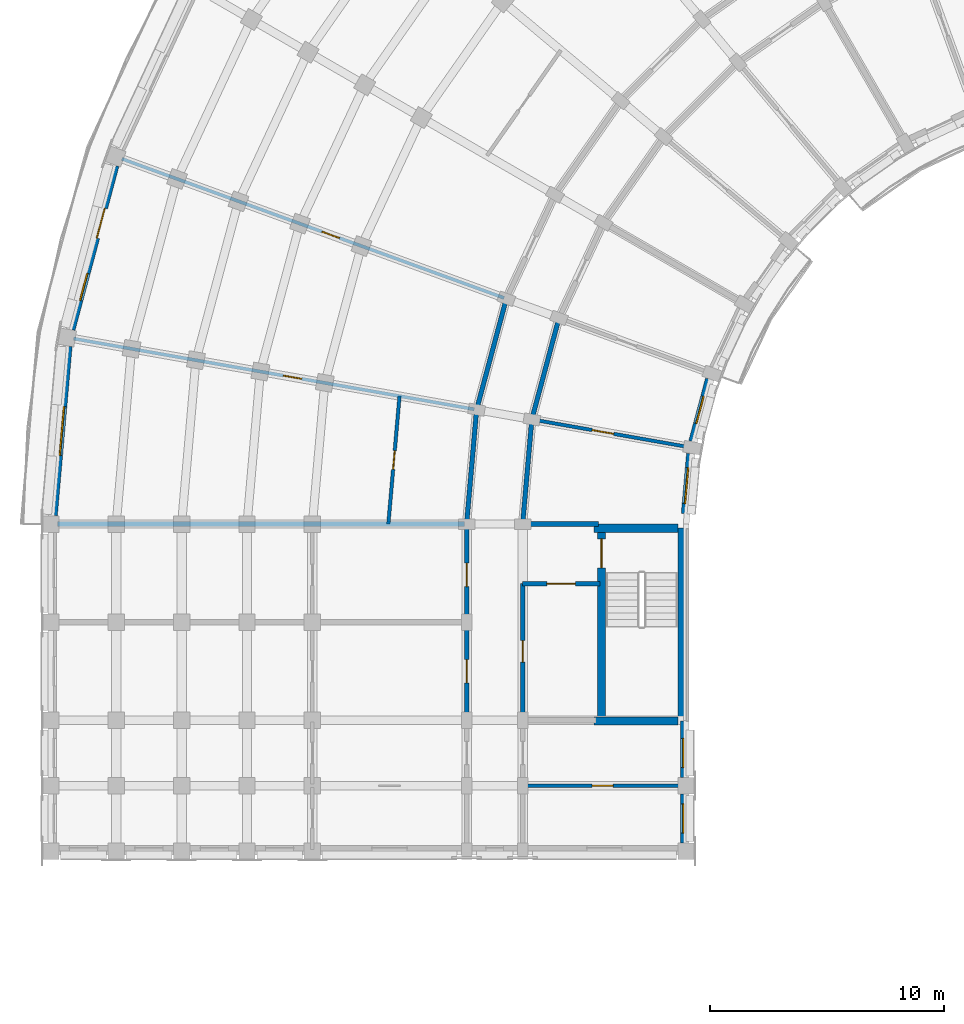
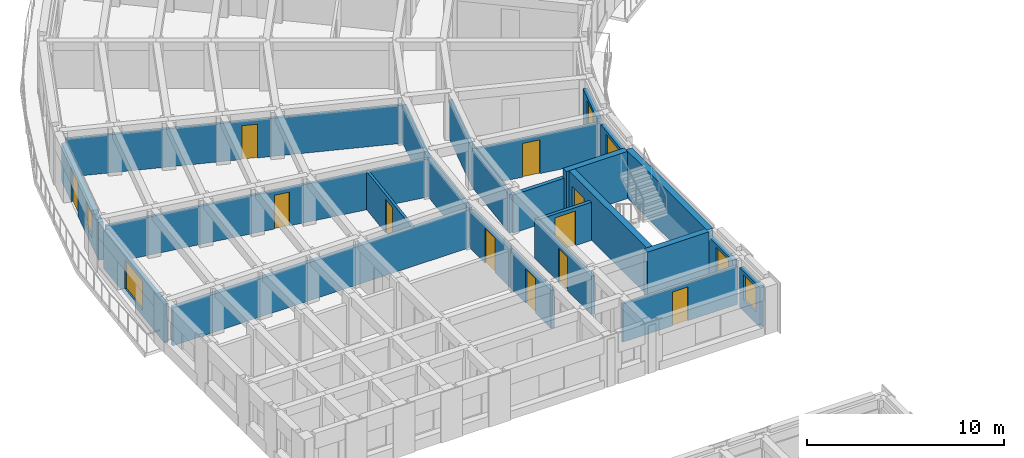
# One storey, part 25 of 57: 25 walls, 11 doors, 6 windows, 17 openings.
"""IFC4 building model written with IfcOpenShell, lengths in metres."""

from ifc_helpers import new_model, si_unit, direction, frame, frame_2d, origin, place, context, subcontext, project, spatial, rectangle, extrude, material, layer, layer_set, type_object, element, fill, save


model = new_model("IFC4")

# Units and contexts
model_context = context("Model", 3, precision=1e-05, world=origin(), true_north=direction((0.0, 1.0)))
body_context = subcontext(model_context, "Body", "Model", "MODEL_VIEW")
ifc_project = project(units=[si_unit("LENGTHUNIT", "METRE"), si_unit("AREAUNIT", "SQUARE_METRE"), si_unit("VOLUMEUNIT", "CUBIC_METRE"), si_unit("PLANEANGLEUNIT", "RADIAN"), si_unit("MASSUNIT", "GRAM", prefix="KILO")], contexts=[model_context])

# Site, building, storey
site_placement = place(None, origin())
site = spatial("IfcSite", under=ifc_project, at=site_placement, CompositionType="ELEMENT")
building_placement = place(site_placement, origin())
building = spatial("IfcBuilding", under=site, at=building_placement, Name="Kiranvali Square Residences", CompositionType="ELEMENT")
storey_placement = place(building_placement, frame((0.0, 0.0, 24.449951171875)))
storey = spatial("IfcBuildingStorey", under=building, at=storey_placement, Name="L07", CompositionType="ELEMENT", Elevation=24.449951171875)

# Wall, opening, door
ifc_material_1 = material(Name="Autoclaved aerated concrete blockwork masonry", Category="masonry")
ifc_layer_1 = layer(ifc_material_1, 0.199951171875)
ifc_layer_set_1 = layer_set([ifc_layer_1], Name="Autoclaved aerated concrete blockwork masonry")
wall_type_1 = type_object("IfcWallType", Name="WL-COR-200", PredefinedType="STANDARD", material=ifc_layer_set_1)
wall_1_placement = place(storey_placement, frame((25.699951171875, 85.25, 0.0), z_axis=(0.0, 0.0, 1.0), x_axis=(-1.0, 0.0, 0.0)))
wall_1 = element("IfcWall", 1, at=wall_1_placement, inside=storey, type_object=wall_type_1, Name="L07 architectural wall WL-L07-A-S3-V", PredefinedType="STANDARD", context=body_context, shape_type="SweptSolid", body=[
    extrude(rectangle(XDim=3.300048828125, YDim=0.199951171875, at=frame_2d((1.64990234375, 0.0))), origin(), (0.0, 0.0, 1.0), 2.3720703125),
])
opening_1_placement = place(wall_1_placement, frame((1.0400390625, 0.0, 0.0)))
opening_1 = element("IfcOpeningElement", 2, at=opening_1_placement, cuts=wall_1, Name="Opening FD-COR-60", PredefinedType="OPENING", context=body_context, shape_type="SweptSolid", body=[
    extrude(rectangle(XDim=1.219970703125, YDim=2.14990234375, at=frame_2d((0.60986328125, 1.074951171875))), frame((0.0, 0.10986328125, 0.0), z_axis=(0.0, -1.0, 0.0), x_axis=(1.0, 0.0, 0.0)), (0.0, 0.0, 1.0), 0.219970703125),
])
ifc_material_2 = material(Name="Fire-rated acoustic hardwood and mineral-core door assembly", Category="wood")
door_type_1 = type_object("IfcDoorType", Name="DR-FD60-1200", OperationType="NOTDEFINED", PredefinedType="DOOR", material=ifc_material_2)
door_1_placement = place(opening_1_placement, frame((1.219970703125, 0.0, 0.0), z_axis=(0.0, 0.0, 1.0), x_axis=(-1.0, 0.0, 0.0)))
door_1 = element("IfcDoor", 3, at=door_1_placement, inside=storey, type_object=door_type_1, Name="L07 door DR-L07-0460 (DR-FD60-1200)", OperationType="SINGLE_SWING_RIGHT", OverallHeight=2.14990234375, OverallWidth=1.219970703125, PredefinedType="DOOR", context=body_context, shape_type="SweptSolid", body=[
    extrude(rectangle(XDim=1.219970703125, YDim=2.14990234375, at=frame_2d((0.60986328125, 1.074951171875))), frame((0.0, 0.02490234375, 0.0), z_axis=(0.0, -1.0, 0.0), x_axis=(1.0, 0.0, 0.0)), (0.0, 0.0, 1.0), 0.050048828125),
])
fill(opening_1, door_1)

wall_2_placement = place(storey_placement, frame((22.39990234375, 85.25, 0.0), z_axis=(0.0, 0.0, 1.0), x_axis=(0.0, -1.0, 0.0)))
wall_2 = element("IfcWall", 4, at=wall_2_placement, inside=storey, type_object=wall_type_1, Name="L07 architectural wall WL-L07-A-S3-COR", PredefinedType="STANDARD", context=body_context, shape_type="SweptSolid", body=[
    extrude(rectangle(XDim=5.800048828125, YDim=0.199951171875, at=frame_2d((2.89990234375, 0.0))), origin(), (0.0, 0.0, 1.0), 2.3720703125),
])
opening_2_placement = place(wall_2_placement, frame((2.43994140625, 0.0, 0.0)))
opening_2 = element("IfcOpeningElement", 5, at=opening_2_placement, cuts=wall_2, Name="Opening FD-SVC-120", PredefinedType="OPENING", context=body_context, shape_type="SweptSolid", body=[
    extrude(rectangle(XDim=0.919921875, YDim=2.10009765625, at=frame_2d((0.4599609375, 1.050048828125))), frame((0.0, 0.10986328125, 0.0), z_axis=(0.0, -1.0, 0.0), x_axis=(1.0, 0.0, 0.0)), (0.0, 0.0, 1.0), 0.219970703125),
])
door_type_2 = type_object("IfcDoorType", Name="DR-SVC-900", OperationType="NOTDEFINED", PredefinedType="DOOR", material=ifc_material_2)
door_2_placement = place(opening_2_placement, origin())
door_2 = element("IfcDoor", 6, at=door_2_placement, inside=storey, type_object=door_type_2, Name="L07 door DR-L07-0461 (DR-SVC-900)", OperationType="SINGLE_SWING_LEFT", OverallHeight=2.10009765625, OverallWidth=0.919921875, PredefinedType="DOOR", context=body_context, shape_type="SweptSolid", body=[
    extrude(rectangle(XDim=0.919921875, YDim=2.10009765625, at=frame_2d((0.4599609375, 1.050048828125))), frame((0.0, 0.02490234375, 0.0), z_axis=(0.0, -1.0, 0.0), x_axis=(1.0, 0.0, 0.0)), (0.0, 0.0, 1.0), 0.050048828125),
])
fill(opening_2, door_2)

# Walls
wall_3_placement = place(storey_placement, frame((23.955810546875, 96.6240234375, 0.0), z_axis=(0.0, 0.0, 1.0), x_axis=(-0.258787642463, -0.965934240054, 0.0)))
element("IfcWall", 7, at=wall_3_placement, inside=storey, type_object=wall_type_1, Name="L07 architectural wall WL-L07-A-CCI-7", PredefinedType="STANDARD", context=body_context, shape_type="SweptSolid", body=[
    extrude(rectangle(XDim=4.497314453125, YDim=0.199951171875, at=frame_2d((2.24853515625, 0.0))), origin(), (0.0, 0.0, 1.0), 2.3720703125),
])
wall_4_placement = place(storey_placement, frame((21.70068359375, 97.445068359375, 0.0), z_axis=(0.0, 0.0, 1.0), x_axis=(-0.258803112091, -0.965930095386, 0.0)))
element("IfcWall", 8, at=wall_4_placement, inside=storey, type_object=wall_type_1, Name="L07 architectural wall WL-L07-A-CCO-7", PredefinedType="STANDARD", context=body_context, shape_type="SweptSolid", body=[
    extrude(rectangle(XDim=4.915771484375, YDim=0.199951171875, at=frame_2d((2.4580078125, 0.0))), origin(), (0.0, 0.0, 1.0), 2.3720703125),
])
wall_5_placement = place(storey_placement, frame((22.7919921875, 92.280029296875, 0.0), z_axis=(0.0, 0.0, 1.0), x_axis=(-0.087187153726, -0.996191949488, 0.0)))
element("IfcWall", 9, at=wall_5_placement, inside=storey, type_object=wall_type_1, Name="L07 architectural wall WL-L07-A-CCI-8", PredefinedType="STANDARD", context=body_context, shape_type="SweptSolid", body=[
    extrude(rectangle(XDim=4.4970703125, YDim=0.199951171875, at=frame_2d((2.24853515625, 0.0))), origin(), (0.0, 0.0, 1.0), 2.3720703125),
])
wall_6_placement = place(storey_placement, frame((20.428466796875, 92.69677734375, 0.0), z_axis=(0.0, 0.0, 1.0), x_axis=(-0.087167566415, -0.996193663584, 0.0)))
element("IfcWall", 10, at=wall_6_placement, inside=storey, type_object=wall_type_1, Name="L07 architectural wall WL-L07-A-CCO-8", PredefinedType="STANDARD", context=body_context, shape_type="SweptSolid", body=[
    extrude(rectangle(XDim=4.91552734375, YDim=0.199951171875, at=frame_2d((2.457763671875, 0.0))), origin(), (0.0, 0.0, 1.0), 2.3720703125),
])

# Wall, opening, door
wall_7_placement = place(storey_placement, frame((20.0, 87.64990234375, 0.0), z_axis=(0.0, 0.0, 1.0), x_axis=(0.0, -1.0, 0.0)))
wall_7 = element("IfcWall", 11, at=wall_7_placement, inside=storey, type_object=wall_type_1, Name="L07 architectural wall WL-L07-A-A2CF-C0", PredefinedType="STANDARD", context=body_context, shape_type="SweptSolid", body=[
    extrude(rectangle(XDim=4.0498046875, YDim=0.199951171875, at=frame_2d((2.02490234375, 0.0))), origin(), (0.0, 0.0, 1.0), 2.3720703125),
])
opening_3_placement = place(wall_7_placement, frame((1.52490234375, 0.0, 0.0)))
opening_3 = element("IfcOpeningElement", 12, at=opening_3_placement, cuts=wall_7, Name="Opening FD-APT-60", PredefinedType="OPENING", context=body_context, shape_type="SweptSolid", body=[
    extrude(rectangle(XDim=1.0, YDim=2.14990234375, at=frame_2d((0.5, 1.074951171875))), frame((0.0, 0.10986328125, 0.0), z_axis=(0.0, -1.0, 0.0), x_axis=(1.0, 0.0, 0.0)), (0.0, 0.0, 1.0), 0.219970703125),
])
door_type_3 = type_object("IfcDoorType", Name="DR-APT-1000", OperationType="NOTDEFINED", PredefinedType="DOOR", material=ifc_material_2)
door_3_placement = place(opening_3_placement, origin())
door_3 = element("IfcDoor", 13, at=door_3_placement, inside=storey, type_object=door_type_3, Name="L07 door DR-L07-0501 (DR-APT-1000)", OperationType="SINGLE_SWING_LEFT", OverallHeight=2.14990234375, OverallWidth=1.0, PredefinedType="DOOR", context=body_context, shape_type="SweptSolid", body=[
    extrude(rectangle(XDim=1.0, YDim=2.14990234375, at=frame_2d((0.5, 1.074951171875))), frame((0.0, 0.02490234375, 0.0), z_axis=(0.0, -1.0, 0.0), x_axis=(1.0, 0.0, 0.0)), (0.0, 0.0, 1.0), 0.050048828125),
])
fill(opening_3, door_3)

wall_8_placement = place(storey_placement, frame((20.0, 83.60009765625, 0.0), z_axis=(0.0, 0.0, 1.0), x_axis=(0.0, -1.0, 0.0)))
wall_8 = element("IfcWall", 14, at=wall_8_placement, inside=storey, type_object=wall_type_1, Name="L07 architectural wall WL-L07-A-A2CF-C1", PredefinedType="STANDARD", context=body_context, shape_type="SweptSolid", body=[
    extrude(rectangle(XDim=4.2001953125, YDim=0.199951171875, at=frame_2d((2.10009765625, 0.0))), origin(), (0.0, 0.0, 1.0), 2.3720703125),
])
opening_4_placement = place(wall_8_placement, frame((1.60009765625, 0.0, 0.0)))
opening_4 = element("IfcOpeningElement", 15, at=opening_4_placement, cuts=wall_8, Name="Opening FD-APT-60", PredefinedType="OPENING", context=body_context, shape_type="SweptSolid", body=[
    extrude(rectangle(XDim=1.0, YDim=2.14990234375, at=frame_2d((0.5, 1.074951171875))), frame((0.0, 0.10986328125, 0.0), z_axis=(0.0, -1.0, 0.0), x_axis=(1.0, 0.0, 0.0)), (0.0, 0.0, 1.0), 0.219970703125),
])
door_4_placement = place(opening_4_placement, origin())
door_4 = element("IfcDoor", 16, at=door_4_placement, inside=storey, type_object=door_type_3, Name="L07 door DR-L07-0503 (DR-APT-1000)", OperationType="SINGLE_SWING_LEFT", OverallHeight=2.14990234375, OverallWidth=1.0, PredefinedType="DOOR", context=body_context, shape_type="SweptSolid", body=[
    extrude(rectangle(XDim=1.0, YDim=2.14990234375, at=frame_2d((0.5, 1.074951171875))), frame((0.0, 0.02490234375, 0.0), z_axis=(0.0, -1.0, 0.0), x_axis=(1.0, 0.0, 0.0)), (0.0, 0.0, 1.0), 0.050048828125),
])
fill(opening_4, door_4)

# Walls
ifc_layer_2 = layer(ifc_material_1, 0.219970703125)
ifc_layer_set_2 = layer_set([ifc_layer_2], Name="Autoclaved aerated concrete blockwork masonry")
wall_type_2 = type_object("IfcWallType", Name="WL-DEM-220", PredefinedType="STANDARD", material=ifc_layer_set_2)
wall_9_placement = place(storey_placement, frame((25.64990234375, 87.800048828125, 0.0), z_axis=(0.0, 0.0, 1.0), x_axis=(-1.0, 0.0, 0.0)))
element("IfcWall", 17, at=wall_9_placement, inside=storey, type_object=wall_type_2, Name="L07 architectural wall WL-L07-A-RADI-9", PredefinedType="STANDARD", context=body_context, shape_type="SweptSolid", body=[
    extrude(rectangle(XDim=3.199951171875, YDim=0.219970703125, at=frame_2d((1.60009765625, 0.0))), origin(), (0.0, 0.0, 1.0), 2.3720703125),
])
wall_10_placement = place(storey_placement, frame((19.89990234375, 87.800048828125, 0.0), z_axis=(0.0, 0.0, 1.0), x_axis=(-1.0, 0.0, 0.0)))
element("IfcWall", 18, at=wall_10_placement, inside=storey, type_object=wall_type_2, Name="L07 architectural wall WL-L07-A-RADO-9", PredefinedType="STANDARD", context=body_context, shape_type="SweptSolid", body=[
    extrude(rectangle(XDim=17.419921875, YDim=0.219970703125, at=frame_2d((8.7099609375, 0.0))), origin(), (0.0, 0.0, 1.0), 2.3720703125),
])

# Wall, openings, door, window
ifc_material_3 = material(Name="Breathable lime-rendered clay brick masonry", Category="masonry")
ifc_layer_3 = layer(ifc_material_3, 0.25)
ifc_layer_set_3 = layer_set([ifc_layer_3], Name="Breathable lime-rendered clay brick masonry")
wall_type_3 = type_object("IfcWallType", Name="WL-EXT-250", PredefinedType="STANDARD", material=ifc_layer_set_3)
wall_11_placement = place(storey_placement, frame((4.99755859375, 103.137451171875, 0.0), z_axis=(0.0, 0.0, 1.0), x_axis=(-0.258802140196, -0.965930355787, 0.0)))
wall_11 = element("IfcWall", 19, at=wall_11_placement, inside=storey, type_object=wall_type_3, Name="L07 exterior wall A-L07-CRV-07", PredefinedType="STANDARD", context=body_context, shape_type="SweptSolid", body=[
    extrude(rectangle(XDim=7.2666015625, YDim=0.25, at=frame_2d((3.63330078125, 0.0))), origin(), (0.0, 0.0, 1.0), 2.3720703125),
])
opening_5_placement = place(wall_11_placement, frame((4.765625, 0.0, 0.52197265625)))
opening_5 = element("IfcOpeningElement", 20, at=opening_5_placement, cuts=wall_11, Name="Opening W-06", PredefinedType="OPENING", context=body_context, shape_type="SweptSolid", body=[
    extrude(rectangle(XDim=1.199951171875, YDim=1.5, at=frame_2d((0.60009765625, 0.75))), frame((0.0, 0.135009765625, 0.0), z_axis=(0.0, -1.0, 0.0), x_axis=(1.0, 0.0, 0.0)), (0.0, 0.0, 1.0), 0.27001953125),
])
opening_6_placement = place(wall_11_placement, frame((1.88330078125, 0.0, 0.0)))
opening_6 = element("IfcOpeningElement", 21, at=opening_6_placement, cuts=wall_11, Name="Opening ED-BAL-3", PredefinedType="OPENING", context=body_context, shape_type="SweptSolid", body=[
    extrude(rectangle(XDim=1.320068359375, YDim=2.14990234375, at=frame_2d((0.66015625, 1.074951171875))), frame((0.0, 0.135009765625, 0.0), z_axis=(0.0, -1.0, 0.0), x_axis=(1.0, 0.0, 0.0)), (0.0, 0.0, 1.0), 0.27001953125),
])
ifc_material_4 = material(Name="Anodised bronze aluminium framing", Category="aluminium")
door_type_4 = type_object("IfcDoorType", Name="DR-BAL-1320", OperationType="NOTDEFINED", PredefinedType="DOOR", material=ifc_material_4)
door_5_placement = place(opening_6_placement, frame((1.320068359375, 0.0, 0.0), z_axis=(0.0, 0.0, 1.0), x_axis=(-1.0, 0.0, 0.0)))
door_5 = element("IfcDoor", 22, at=door_5_placement, inside=storey, type_object=door_type_4, Name="L07 balcony terrace door", OperationType="SINGLE_SWING_RIGHT", OverallHeight=2.14990234375, OverallWidth=1.320068359375, PredefinedType="DOOR", context=body_context, shape_type="SweptSolid", body=[
    extrude(rectangle(XDim=1.320068359375, YDim=2.14990234375, at=frame_2d((0.66015625, 1.074951171875))), frame((0.0, 0.02490234375, 0.0), z_axis=(0.0, -1.0, 0.0), x_axis=(1.0, 0.0, 0.0)), (0.0, 0.0, 1.0), 0.050048828125),
])
fill(opening_6, door_5)
ifc_material_5 = material(Name="Solar-control low-e double glazing", Category="glass")
window_type_1 = type_object("IfcWindowType", Name="WIN-RES-1200x1500", PartitioningType="SINGLE_PANEL", PredefinedType="WINDOW", material=ifc_material_5)
window_1_placement = place(opening_5_placement, origin())
window_1 = element("IfcWindow", 23, at=window_1_placement, inside=storey, type_object=window_type_1, Name="L07 recessed window A-L07-CRV-07", OverallHeight=1.5, OverallWidth=1.199951171875, PartitioningType="SINGLE_PANEL", PredefinedType="WINDOW", context=body_context, shape_type="SweptSolid", body=[
    extrude(rectangle(XDim=1.199951171875, YDim=1.5, at=frame_2d((0.60009765625, 0.75))), frame((0.0, 0.030029296875, 0.0), z_axis=(0.0, -1.0, 0.0), x_axis=(1.0, 0.0, 0.0)), (0.0, 0.0, 1.0), 0.06005859375),
])
fill(opening_5, window_1)

# Wall, opening, window
wall_12_placement = place(storey_placement, frame((2.99072265625, 95.402587890625, 0.0), z_axis=(0.0, 0.0, 1.0), x_axis=(-0.08718487158, -0.99619214922, 0.0)))
wall_12 = element("IfcWall", 24, at=wall_12_placement, inside=storey, type_object=wall_type_3, Name="L07 exterior wall A-L07-CRV-08", PredefinedType="STANDARD", context=body_context, shape_type="SweptSolid", body=[
    extrude(rectangle(XDim=7.2666015625, YDim=0.25, at=frame_2d((3.63330078125, 0.0))), origin(), (0.0, 0.0, 1.0), 2.3720703125),
])
opening_7_placement = place(wall_12_placement, frame((2.583251953125, 0.0, 0.3720703125)))
opening_7 = element("IfcOpeningElement", 25, at=opening_7_placement, cuts=wall_12, Name="Opening W-03", PredefinedType="OPENING", context=body_context, shape_type="SweptSolid", body=[
    extrude(rectangle(XDim=2.10009765625, YDim=1.800048828125, at=frame_2d((1.050048828125, 0.89990234375))), frame((0.0, 0.135009765625, 0.0), z_axis=(0.0, -1.0, 0.0), x_axis=(1.0, 0.0, 0.0)), (0.0, 0.0, 1.0), 0.27001953125),
])
window_type_2 = type_object("IfcWindowType", Name="WIN-RES-2100x1800", PartitioningType="TRIPLE_PANEL_VERTICAL", PredefinedType="WINDOW", material=ifc_material_5)
window_2_placement = place(opening_7_placement, origin())
window_2 = element("IfcWindow", 26, at=window_2_placement, inside=storey, type_object=window_type_2, Name="L07 recessed window A-L07-CRV-08", OverallHeight=1.800048828125, OverallWidth=2.10009765625, PartitioningType="TRIPLE_PANEL_VERTICAL", PredefinedType="WINDOW", context=body_context, shape_type="SweptSolid", body=[
    extrude(rectangle(XDim=2.10009765625, YDim=1.800048828125, at=frame_2d((1.050048828125, 0.89990234375))), frame((0.0, 0.030029296875, 0.0), z_axis=(0.0, -1.0, 0.0), x_axis=(1.0, 0.0, 0.0)), (0.0, 0.0, 1.0), 0.06005859375),
])
fill(opening_7, window_2)

wall_13_placement = place(storey_placement, frame((30.347412109375, 94.017333984375, 0.0), z_axis=(0.0, 0.0, 1.0), x_axis=(-0.25878161084, -0.965935855992, 0.0)))
wall_13 = element("IfcWall", 27, at=wall_13_placement, inside=storey, type_object=wall_type_3, Name="L07 exterior wall A-L07-GDN-07", PredefinedType="STANDARD", context=body_context, shape_type="SweptSolid", body=[
    extrude(rectangle(XDim=2.769775390625, YDim=0.25, at=frame_2d((1.384765625, 0.0))), origin(), (0.0, 0.0, 1.0), 2.422119140625),
])
opening_8_placement = place(wall_13_placement, frame((0.784912109375, 0.0, 0.721923828125)))
opening_8 = element("IfcOpeningElement", 28, at=opening_8_placement, cuts=wall_13, Name="Opening W-06", PredefinedType="OPENING", context=body_context, shape_type="SweptSolid", body=[
    extrude(rectangle(XDim=1.199951171875, YDim=1.5, at=frame_2d((0.60009765625, 0.75))), frame((0.0, 0.135009765625, 0.0), z_axis=(0.0, -1.0, 0.0), x_axis=(1.0, 0.0, 0.0)), (0.0, 0.0, 1.0), 0.27001953125),
])
window_3_placement = place(opening_8_placement, origin())
window_3 = element("IfcWindow", 29, at=window_3_placement, inside=storey, type_object=window_type_1, Name="L07 recessed window A-L07-GDN-07", OverallHeight=1.5, OverallWidth=1.199951171875, PartitioningType="SINGLE_PANEL", PredefinedType="WINDOW", context=body_context, shape_type="SweptSolid", body=[
    extrude(rectangle(XDim=1.199951171875, YDim=1.5, at=frame_2d((0.60009765625, 0.75))), frame((0.0, 0.030029296875, 0.0), z_axis=(0.0, -1.0, 0.0), x_axis=(1.0, 0.0, 0.0)), (0.0, 0.0, 1.0), 0.06005859375),
])
fill(opening_8, window_3)

wall_14_placement = place(storey_placement, frame((29.5390625, 90.82275390625, 0.0), z_axis=(0.0, 0.0, 1.0), x_axis=(-0.087229084652, -0.996188278786, 0.0)))
wall_14 = element("IfcWall", 30, at=wall_14_placement, inside=storey, type_object=wall_type_3, Name="L07 exterior wall A-L07-GDN-08", PredefinedType="STANDARD", context=body_context, shape_type="SweptSolid", body=[
    extrude(rectangle(XDim=2.583251953125, YDim=0.25, at=frame_2d((1.29150390625, 0.0))), origin(), (0.0, 0.0, 1.0), 2.422119140625),
])
opening_9_placement = place(wall_14_placement, frame((0.60986328125, 0.0, 0.6220703125)))
opening_9 = element("IfcOpeningElement", 31, at=opening_9_placement, cuts=wall_14, Name="Opening W-18", PredefinedType="OPENING", context=body_context, shape_type="SweptSolid", body=[
    extrude(rectangle(XDim=1.550048828125, YDim=1.60009765625, at=frame_2d((0.77490234375, 0.800048828125))), frame((0.0, 0.135009765625, 0.0), z_axis=(0.0, -1.0, 0.0), x_axis=(1.0, 0.0, 0.0)), (0.0, 0.0, 1.0), 0.27001953125),
])
window_type_3 = type_object("IfcWindowType", Name="WIN-GDN-1550x1600", PartitioningType="DOUBLE_PANEL_VERTICAL", PredefinedType="WINDOW", material=ifc_material_5)
window_4_placement = place(opening_9_placement, origin())
window_4 = element("IfcWindow", 32, at=window_4_placement, inside=storey, type_object=window_type_3, Name="L07 recessed window A-L07-GDN-08", OverallHeight=1.60009765625, OverallWidth=1.550048828125, PartitioningType="DOUBLE_PANEL_VERTICAL", PredefinedType="WINDOW", context=body_context, shape_type="SweptSolid", body=[
    extrude(rectangle(XDim=1.550048828125, YDim=1.60009765625, at=frame_2d((0.77490234375, 0.800048828125))), frame((0.0, 0.030029296875, 0.0), z_axis=(0.0, -1.0, 0.0), x_axis=(1.0, 0.0, 0.0)), (0.0, 0.0, 1.0), 0.06005859375),
])
fill(opening_9, window_4)

wall_15_placement = place(storey_placement, frame((29.27490234375, 79.37158203125, 0.0), z_axis=(0.0, 0.0, 1.0), x_axis=(0.0, -1.0, 0.0)))
wall_15 = element("IfcWall", 33, at=wall_15_placement, inside=storey, type_object=wall_type_3, Name="L07 exterior wall A-L07-A2I-0", PredefinedType="STANDARD", context=body_context, shape_type="SweptSolid", body=[
    extrude(rectangle(XDim=2.41796875, YDim=0.25, at=frame_2d((1.208984375, 0.0))), origin(), (0.0, 0.0, 1.0), 2.47216796875),
])
opening_10_placement = place(wall_15_placement, frame((0.74658203125, 0.0, 0.721923828125)))
opening_10 = element("IfcOpeningElement", 34, at=opening_10_placement, cuts=wall_15, Name="Opening W-19", PredefinedType="OPENING", context=body_context, shape_type="SweptSolid", body=[
    extrude(rectangle(XDim=1.25, YDim=1.550048828125, at=frame_2d((0.625, 0.77490234375))), frame((0.0, 0.135009765625, 0.0), z_axis=(0.0, -1.0, 0.0), x_axis=(1.0, 0.0, 0.0)), (0.0, 0.0, 1.0), 0.27001953125),
])
window_type_4 = type_object("IfcWindowType", Name="WIN-GDN-1250x1550", PartitioningType="SINGLE_PANEL", PredefinedType="WINDOW", material=ifc_material_5)
window_5_placement = place(opening_10_placement, origin())
window_5 = element("IfcWindow", 35, at=window_5_placement, inside=storey, type_object=window_type_4, Name="L07 recessed window A-L07-A2I-0", OverallHeight=1.550048828125, OverallWidth=1.25, PartitioningType="SINGLE_PANEL", PredefinedType="WINDOW", context=body_context, shape_type="SweptSolid", body=[
    extrude(rectangle(XDim=1.25, YDim=1.550048828125, at=frame_2d((0.625, 0.77490234375))), frame((0.0, 0.030029296875, 0.0), z_axis=(0.0, -1.0, 0.0), x_axis=(1.0, 0.0, 0.0)), (0.0, 0.0, 1.0), 0.06005859375),
])
fill(opening_10, window_5)

wall_16_placement = place(storey_placement, frame((29.27490234375, 76.24658203125, 0.0), z_axis=(0.0, 0.0, 1.0), x_axis=(0.0, -1.0, 0.0)))
wall_16 = element("IfcWall", 36, at=wall_16_placement, inside=storey, type_object=wall_type_3, Name="L07 exterior wall A-L07-A2I-1", PredefinedType="STANDARD", context=body_context, shape_type="SweptSolid", body=[
    extrude(rectangle(XDim=2.093017578125, YDim=0.25, at=frame_2d((1.04638671875, 0.0))), origin(), (0.0, 0.0, 1.0), 2.47216796875),
])
opening_11_placement = place(wall_16_placement, frame((0.42138671875, 0.0, 0.721923828125)))
opening_11 = element("IfcOpeningElement", 37, at=opening_11_placement, cuts=wall_16, Name="Opening W-19", PredefinedType="OPENING", context=body_context, shape_type="SweptSolid", body=[
    extrude(rectangle(XDim=1.25, YDim=1.550048828125, at=frame_2d((0.625, 0.77490234375))), frame((0.0, 0.135009765625, 0.0), z_axis=(0.0, -1.0, 0.0), x_axis=(1.0, 0.0, 0.0)), (0.0, 0.0, 1.0), 0.27001953125),
])
window_6_placement = place(opening_11_placement, origin())
window_6 = element("IfcWindow", 38, at=window_6_placement, inside=storey, type_object=window_type_4, Name="L07 recessed window A-L07-A2I-1", OverallHeight=1.550048828125, OverallWidth=1.25, PartitioningType="SINGLE_PANEL", PredefinedType="WINDOW", context=body_context, shape_type="SweptSolid", body=[
    extrude(rectangle(XDim=1.25, YDim=1.550048828125, at=frame_2d((0.625, 0.77490234375))), frame((0.0, 0.030029296875, 0.0), z_axis=(0.0, -1.0, 0.0), x_axis=(1.0, 0.0, 0.0)), (0.0, 0.0, 1.0), 0.06005859375),
])
fill(opening_11, window_6)

# Wall, opening, door
ifc_material_6 = material(Name="Acoustic gypsum board drylined partition", Category="gypsum")
ifc_layer_4 = layer(ifc_material_6, 0.14990234375)
ifc_layer_set_4 = layer_set([ifc_layer_4], Name="Acoustic gypsum board drylined partition")
wall_type_4 = type_object("IfcWallType", Name="WL-PRT-150", PredefinedType="PARTITIONING", material=ifc_layer_set_4)
wall_17_placement = place(storey_placement, frame((21.606689453125, 97.479248046875, 0.0), z_axis=(0.0, 0.0, 1.0), x_axis=(-0.939691901159, 0.342022120477, 0.0)))
wall_17 = element("IfcWall", 39, at=wall_17_placement, inside=storey, type_object=wall_type_4, Name="L07 architectural wall WL-L07-A-RADO-7", PredefinedType="PARTITIONING", context=body_context, shape_type="SweptSolid", body=[
    extrude(rectangle(XDim=17.419921875, YDim=0.14990234375, at=frame_2d((8.7099609375, 0.0))), origin(), (0.0, 0.0, 1.0), 2.3720703125),
])
opening_12_placement = place(wall_17_placement, frame((7.5, 0.0, 0.0)))
opening_12 = element("IfcOpeningElement", 40, at=opening_12_placement, cuts=wall_17, Name="Opening ID-WET", PredefinedType="OPENING", context=body_context, shape_type="SweptSolid", body=[
    extrude(rectangle(XDim=0.800048828125, YDim=2.10009765625, at=frame_2d((0.39990234375, 1.050048828125))), frame((0.0, 0.0849609375, 0.0), z_axis=(0.0, -1.0, 0.0), x_axis=(1.0, 0.0, 0.0)), (0.0, 0.0, 1.0), 0.169921875),
])
ifc_material_7 = material(Name="Solid seasoned teak hardwood joinery", Category="wood")
door_type_5 = type_object("IfcDoorType", Name="DR-WET-800", OperationType="NOTDEFINED", PredefinedType="DOOR", material=ifc_material_7)
door_6_placement = place(opening_12_placement, origin())
door_6 = element("IfcDoor", 41, at=door_6_placement, inside=storey, type_object=door_type_5, Name="L07 door DR-L07-0487 (DR-WET-800)", OperationType="SINGLE_SWING_LEFT", OverallHeight=2.10009765625, OverallWidth=0.800048828125, PredefinedType="DOOR", context=body_context, shape_type="SweptSolid", body=[
    extrude(rectangle(XDim=0.800048828125, YDim=2.10009765625, at=frame_2d((0.39990234375, 1.050048828125))), frame((0.0, 0.02490234375, 0.0), z_axis=(0.0, -1.0, 0.0), x_axis=(1.0, 0.0, 0.0)), (0.0, 0.0, 1.0), 0.050048828125),
])
fill(opening_12, door_6)

wall_18_placement = place(storey_placement, frame((29.48876953125, 91.099365234375, 0.0), z_axis=(0.0, 0.0, 1.0), x_axis=(-0.984807944945, 0.173647089161, 0.0)))
wall_18 = element("IfcWall", 42, at=wall_18_placement, inside=storey, type_object=wall_type_4, Name="L07 architectural wall WL-L07-A-RADI-8", PredefinedType="PARTITIONING", context=body_context, shape_type="SweptSolid", body=[
    extrude(rectangle(XDim=6.75, YDim=0.14990234375, at=frame_2d((3.375, 0.0))), origin(), (0.0, 0.0, 1.0), 2.3720703125),
])
opening_13_placement = place(wall_18_placement, frame((3.242431640625, 0.0, 0.0)))
opening_13 = element("IfcOpeningElement", 43, at=opening_13_placement, cuts=wall_18, Name="Opening ID-2", PredefinedType="OPENING", context=body_context, shape_type="SweptSolid", body=[
    extrude(rectangle(XDim=0.93994140625, YDim=2.10009765625, at=frame_2d((0.469970703125, 1.050048828125))), frame((0.0, 0.0849609375, 0.0), z_axis=(0.0, -1.0, 0.0), x_axis=(1.0, 0.0, 0.0)), (0.0, 0.0, 1.0), 0.169921875),
])
door_type_6 = type_object("IfcDoorType", Name="DR-INT-940", OperationType="NOTDEFINED", PredefinedType="DOOR", material=ifc_material_7)
door_7_placement = place(opening_13_placement, frame((0.93994140625, 0.0, 0.0), z_axis=(0.0, 0.0, 1.0), x_axis=(-1.0, 0.0, 0.0)))
door_7 = element("IfcDoor", 44, at=door_7_placement, inside=storey, type_object=door_type_6, Name="L07 door DR-L07-0488 (DR-INT-940)", OperationType="SINGLE_SWING_RIGHT", OverallHeight=2.10009765625, OverallWidth=0.93994140625, PredefinedType="DOOR", context=body_context, shape_type="SweptSolid", body=[
    extrude(rectangle(XDim=0.93994140625, YDim=2.10009765625, at=frame_2d((0.469970703125, 1.050048828125))), frame((0.0, 0.02490234375, 0.0), z_axis=(0.0, -1.0, 0.0), x_axis=(1.0, 0.0, 0.0)), (0.0, 0.0, 1.0), 0.050048828125),
])
fill(opening_13, door_7)

wall_19_placement = place(storey_placement, frame((20.329833984375, 92.71435546875, 0.0), z_axis=(0.0, 0.0, 1.0), x_axis=(-0.984808098809, 0.173646216546, 0.0)))
wall_19 = element("IfcWall", 45, at=wall_19_placement, inside=storey, type_object=wall_type_4, Name="L07 architectural wall WL-L07-A-RADO-8", PredefinedType="PARTITIONING", context=body_context, shape_type="SweptSolid", body=[
    extrude(rectangle(XDim=17.419921875, YDim=0.14990234375, at=frame_2d((8.7099609375, 0.0))), origin(), (0.0, 0.0, 1.0), 2.3720703125),
])
opening_14_placement = place(wall_19_placement, frame((7.5, 0.0, 0.0)))
opening_14 = element("IfcOpeningElement", 46, at=opening_14_placement, cuts=wall_19, Name="Opening ID-WET", PredefinedType="OPENING", context=body_context, shape_type="SweptSolid", body=[
    extrude(rectangle(XDim=0.800048828125, YDim=2.10009765625, at=frame_2d((0.39990234375, 1.050048828125))), frame((0.0, 0.0849609375, 0.0), z_axis=(0.0, -1.0, 0.0), x_axis=(1.0, 0.0, 0.0)), (0.0, 0.0, 1.0), 0.169921875),
])
door_8_placement = place(opening_14_placement, origin())
door_8 = element("IfcDoor", 47, at=door_8_placement, inside=storey, type_object=door_type_5, Name="L07 door DR-L07-0489 (DR-WET-800)", OperationType="SINGLE_SWING_LEFT", OverallHeight=2.10009765625, OverallWidth=0.800048828125, PredefinedType="DOOR", context=body_context, shape_type="SweptSolid", body=[
    extrude(rectangle(XDim=0.800048828125, YDim=2.10009765625, at=frame_2d((0.39990234375, 1.050048828125))), frame((0.0, 0.02490234375, 0.0), z_axis=(0.0, -1.0, 0.0), x_axis=(1.0, 0.0, 0.0)), (0.0, 0.0, 1.0), 0.050048828125),
])
fill(opening_14, door_8)

wall_20_placement = place(storey_placement, frame((29.199951171875, 76.60009765625, 0.0), z_axis=(0.0, 0.0, 1.0), x_axis=(-1.0, 0.0, 0.0)))
wall_20 = element("IfcWall", 48, at=wall_20_placement, inside=storey, type_object=wall_type_4, Name="L07 architectural wall WL-L07-A-A2TI-1", PredefinedType="PARTITIONING", context=body_context, shape_type="SweptSolid", body=[
    extrude(rectangle(XDim=6.75, YDim=0.14990234375, at=frame_2d((3.375, 0.0))), origin(), (0.0, 0.0, 1.0), 2.3720703125),
])
opening_15_placement = place(wall_20_placement, frame((2.925048828125, 0.0, 0.0)))
opening_15 = element("IfcOpeningElement", 49, at=opening_15_placement, cuts=wall_20, Name="Opening ID-1", PredefinedType="OPENING", context=body_context, shape_type="SweptSolid", body=[
    extrude(rectangle(XDim=0.89990234375, YDim=2.10009765625, at=frame_2d((0.449951171875, 1.050048828125))), frame((0.0, 0.0849609375, 0.0), z_axis=(0.0, -1.0, 0.0), x_axis=(1.0, 0.0, 0.0)), (0.0, 0.0, 1.0), 0.169921875),
])
door_type_7 = type_object("IfcDoorType", Name="DR-INT-900", OperationType="NOTDEFINED", PredefinedType="DOOR", material=ifc_material_7)
door_9_placement = place(opening_15_placement, origin())
door_9 = element("IfcDoor", 50, at=door_9_placement, inside=storey, type_object=door_type_7, Name="L07 door DR-L07-0509 (DR-INT-900)", OperationType="SINGLE_SWING_LEFT", OverallHeight=2.10009765625, OverallWidth=0.89990234375, PredefinedType="DOOR", context=body_context, shape_type="SweptSolid", body=[
    extrude(rectangle(XDim=0.89990234375, YDim=2.10009765625, at=frame_2d((0.449951171875, 1.050048828125))), frame((0.0, 0.02490234375, 0.0), z_axis=(0.0, -1.0, 0.0), x_axis=(1.0, 0.0, 0.0)), (0.0, 0.0, 1.0), 0.050048828125),
])
fill(opening_15, door_9)

# Wall
ifc_material_8 = material(Name="Concrete M45 (45 MPa)", Category="concrete")
ifc_layer_5 = layer(ifc_material_8, 0.320068359375)
ifc_layer_set_5 = layer_set([ifc_layer_5], Name="Concrete M45 (45 MPa)")
wall_type_5 = type_object("IfcWallType", Name="WL-SHR-320", PredefinedType="SHEAR", material=ifc_layer_set_5)
wall_21_placement = place(storey_placement, frame((29.22509765625, 87.625, 0.0), z_axis=(0.0, 0.0, 1.0), x_axis=(0.0, -1.0, 0.0)))
element("IfcWall", 51, at=wall_21_placement, inside=storey, type_object=wall_type_5, Name="Block A core shear wall SW-A3-OUT-L07", PredefinedType="SHEAR", context=body_context, shape_type="SweptSolid", body=[
    extrude(rectangle(XDim=8.25, YDim=0.35009765625, at=frame_2d((4.125, 0.0))), origin(), (0.0, 0.0, 1.0), 2.929931640625),
])

# Wall, opening, door
wall_22_placement = place(storey_placement, frame((25.77490234375, 87.449951171875, 0.0), z_axis=(0.0, 0.0, 1.0), x_axis=(0.0, -1.0, 0.0)))
wall_22 = element("IfcWall", 52, at=wall_22_placement, inside=storey, type_object=wall_type_5, Name="Block A core shear wall SW-A3-IN-L07", PredefinedType="SHEAR", context=body_context, shape_type="SweptSolid", body=[
    extrude(rectangle(XDim=7.89990234375, YDim=0.35009765625, at=frame_2d((3.949951171875, 0.0))), origin(), (0.0, 0.0, 1.0), 2.929931640625),
])
opening_16_placement = place(wall_22_placement, frame((0.280029296875, 0.0, 0.0)))
opening_16 = element("IfcOpeningElement", 53, at=opening_16_placement, cuts=wall_22, Name="Opening FD-ST-120", PredefinedType="OPENING", context=body_context, shape_type="SweptSolid", body=[
    extrude(rectangle(XDim=1.239990234375, YDim=2.14990234375, at=frame_2d((0.6201171875, 1.074951171875))), frame((0.0, 0.18505859375, 0.0), z_axis=(0.0, -1.0, 0.0), x_axis=(1.0, 0.0, 0.0)), (0.0, 0.0, 1.0), 0.3701171875),
])
door_type_8 = type_object("IfcDoorType", Name="DR-FD120-1200", OperationType="NOTDEFINED", PredefinedType="DOOR", material=ifc_material_2)
door_10_placement = place(opening_16_placement, origin())
door_10 = element("IfcDoor", 54, at=door_10_placement, inside=storey, type_object=door_type_8, Name="L07 door DR-L07-0456 (DR-FD120-1200)", OperationType="SINGLE_SWING_RIGHT", OverallHeight=2.14990234375, OverallWidth=1.239990234375, PredefinedType="DOOR", context=body_context, shape_type="SweptSolid", body=[
    extrude(rectangle(XDim=1.239990234375, YDim=2.14990234375, at=frame_2d((0.6201171875, 1.074951171875))), frame((0.0, 0.02490234375, 0.0), z_axis=(0.0, -1.0, 0.0), x_axis=(1.0, 0.0, 0.0)), (0.0, 0.0, 1.0), 0.050048828125),
])
fill(opening_16, door_10)

# Walls
for number, where, z_axis, x_axis, name in (
    (55, (29.050048828125, 87.625, 0.0), (0.0, 0.0, 1.0), (-1.0, 0.0, 0.0), "Block A core shear wall SW-A3-NEAR-L07"),
    (56, (29.050048828125, 79.375, 0.0), (0.0, 0.0, 1.0), (-1.0, 0.0, 0.0), "Block A core shear wall SW-A3-FAR-L07"),
):
    element("IfcWall", number, at=place(storey_placement, frame(where, z_axis=z_axis, x_axis=x_axis)), inside=storey, type_object=wall_type_5, Name=name, PredefinedType="SHEAR", context=body_context, shape_type="SweptSolid", body=[
        extrude(rectangle(XDim=3.60009765625, YDim=0.35009765625, at=frame_2d((1.800048828125, 0.0))), origin(), (0.0, 0.0, 1.0), 2.929931640625),
    ])

# Wall, opening, door
ifc_layer_6 = layer(ifc_material_1, 0.14990234375)
ifc_layer_set_6 = layer_set([ifc_layer_6], Name="Autoclaved aerated concrete blockwork masonry")
wall_type_6 = type_object("IfcWallType", Name="WL-WET-150", PredefinedType="PLUMBINGWALL", material=ifc_layer_set_6)
wall_23_placement = place(storey_placement, frame((17.12939453125, 93.278564453125, 0.0), z_axis=(0.0, 0.0, 1.0), x_axis=(-0.087188978393, -0.996191789791, 0.0)))
wall_23 = element("IfcWall", 57, at=wall_23_placement, inside=storey, type_object=wall_type_6, Name="L07 architectural wall WL-L07-A-CWET-8", PredefinedType="PLUMBINGWALL", context=body_context, shape_type="SweptSolid", body=[
    extrude(rectangle(XDim=5.49951171875, YDim=0.14990234375, at=frame_2d((2.749755859375, 0.0))), origin(), (0.0, 0.0, 1.0), 2.3720703125),
])
opening_17_placement = place(wall_23_placement, frame((2.349853515625, 0.0, 0.0)))
opening_17 = element("IfcOpeningElement", 58, at=opening_17_placement, cuts=wall_23, Name="Opening ID-WET", PredefinedType="OPENING", context=body_context, shape_type="SweptSolid", body=[
    extrude(rectangle(XDim=0.800048828125, YDim=2.10009765625, at=frame_2d((0.39990234375, 1.050048828125))), frame((0.0, 0.0849609375, 0.0), z_axis=(0.0, -1.0, 0.0), x_axis=(1.0, 0.0, 0.0)), (0.0, 0.0, 1.0), 0.169921875),
])
door_11_placement = place(opening_17_placement, origin())
door_11 = element("IfcDoor", 59, at=door_11_placement, inside=storey, type_object=door_type_5, Name="L07 door DR-L07-0497 (DR-WET-800)", OperationType="SINGLE_SWING_LEFT", OverallHeight=2.10009765625, OverallWidth=0.800048828125, PredefinedType="DOOR", context=body_context, shape_type="SweptSolid", body=[
    extrude(rectangle(XDim=0.800048828125, YDim=2.10009765625, at=frame_2d((0.39990234375, 1.050048828125))), frame((0.0, 0.02490234375, 0.0), z_axis=(0.0, -1.0, 0.0), x_axis=(1.0, 0.0, 0.0)), (0.0, 0.0, 1.0), 0.050048828125),
])
fill(opening_17, door_11)

save(model, "model.ifc")
